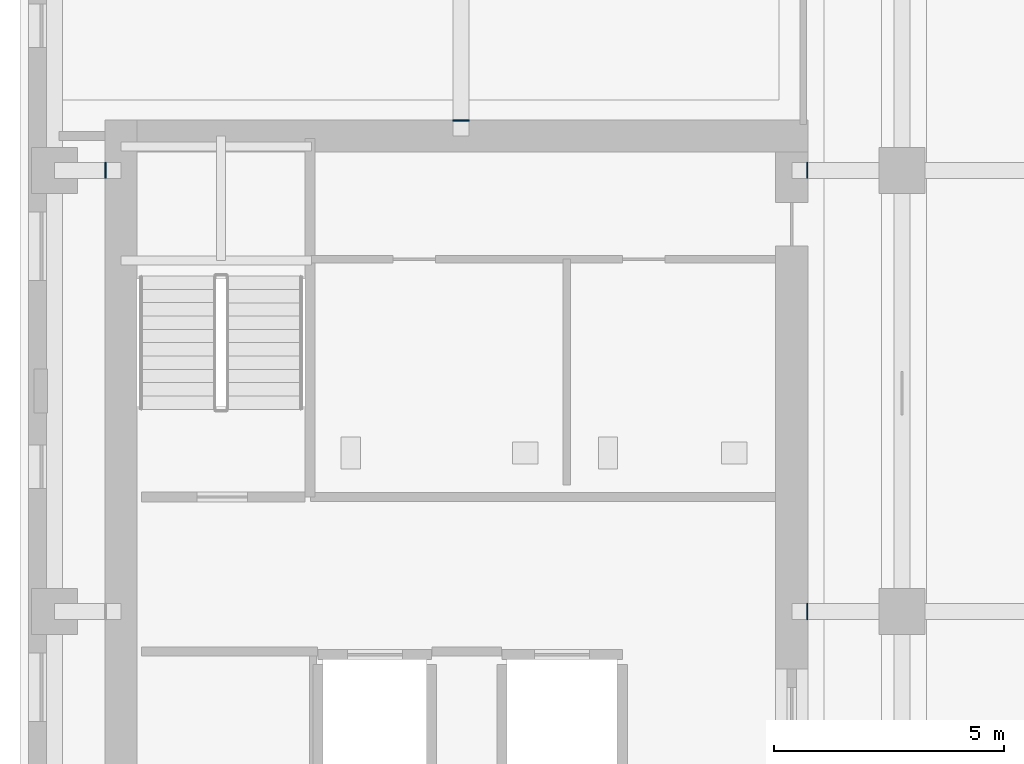
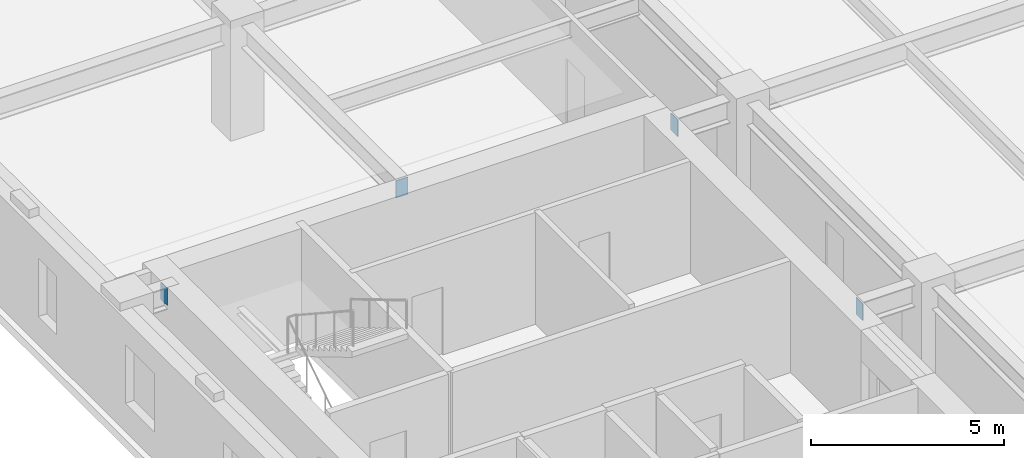
# One storey, part 10 of 16: 4 discrete accessories.
"""IFC4 building model written with IfcOpenShell, lengths in metres."""

from ifc_helpers import new_model, si_unit, direction, frame, origin, origin_2d, place, context, subcontext, project, spatial, rectangle, extrude, material, layer, layer_set, type_object, element, save


model = new_model("IFC4")

# Units and contexts
model_context = context("Model", 3, precision=1e-05, world=origin(), true_north=direction((0.0, 1.0)))
body_context = subcontext(model_context, "Body", "Model", "MODEL_VIEW")
ifc_project = project(units=[si_unit("LENGTHUNIT", "METRE"), si_unit("AREAUNIT", "SQUARE_METRE"), si_unit("VOLUMEUNIT", "CUBIC_METRE"), si_unit("PLANEANGLEUNIT", "RADIAN"), si_unit("MASSUNIT", "GRAM", prefix="KILO")], contexts=[model_context])

# Site, building, storey
site_placement = place(None, origin())
site = spatial("IfcSite", under=ifc_project, at=site_placement, CompositionType="ELEMENT")
building_placement = place(site_placement, origin())
building = spatial("IfcBuilding", under=site, at=building_placement, Name="Norrvale University Quadrangle", CompositionType="ELEMENT")
storey_placement = place(building_placement, frame((0.0, 0.0, 112.800048828125)))
storey = spatial("IfcBuildingStorey", under=building, at=storey_placement, Name="L28", CompositionType="ELEMENT", Elevation=112.800048828125)

# Discrete accessories
ifc_material = material(Name="Steel 350W", Category="steel")
ifc_layer = layer(ifc_material, 0.02490234375, Name="Steel 350W")
ifc_layer_set = layer_set([ifc_layer], Name="Steel 350W")
discrete_accessory_type = type_object("IfcDiscreteAccessoryType", Name="Accessory Cast In Embed Plate", PredefinedType="ANCHORPLATE", material=ifc_layer_set)
for number, where, z_axis, x_axis, name in (
    (1, (17.137451171875, 37.64990234375, 2.9599609375), (0.0, 0.0, 1.0), (1.0, 0.0, 0.0), "Core Wall Cast-in Embed Plate L28-GCE067"),
    (2, (1.862548828125, 47.25, 2.9599609375), (0.0, 0.0, 1.0), (1.0, 0.0, 0.0), "Core Wall Cast-in Embed Plate L28-GCW068"),
    (3, (17.137451171875, 47.25, 2.9599609375), (0.0, 0.0, 1.0), (1.0, 0.0, 0.0), "Core Wall Cast-in Embed Plate L28-GCE069"),
):
    element("IfcDiscreteAccessory", number, at=place(storey_placement, frame(where, z_axis=z_axis, x_axis=x_axis)), inside=storey, type_object=discrete_accessory_type, Name=name, PredefinedType="ANCHORPLATE", context=body_context, shape_type="SweptSolid", body=[
        extrude(rectangle(XDim=0.02490234375, YDim=0.35009765625, at=origin_2d()), origin(), (0.0, 0.0, 1.0), 0.5400390625),
    ])
discrete_accessory_placement = place(storey_placement, frame((9.60009765625, 48.33740234375, 2.9599609375), z_axis=(0.0, 0.0, 1.0), x_axis=(1.0, 0.0, 0.0)))
element("IfcDiscreteAccessory", 4, at=discrete_accessory_placement, inside=storey, type_object=discrete_accessory_type, Name="Core Wall Cast-in Embed Plate L28-GCN090", PredefinedType="ANCHORPLATE", context=body_context, shape_type="SweptSolid", body=[
    extrude(rectangle(XDim=0.35009765625, YDim=0.02490234375, at=origin_2d()), origin(), (0.0, 0.0, 1.0), 0.5400390625),
])

save(model, "model.ifc")
